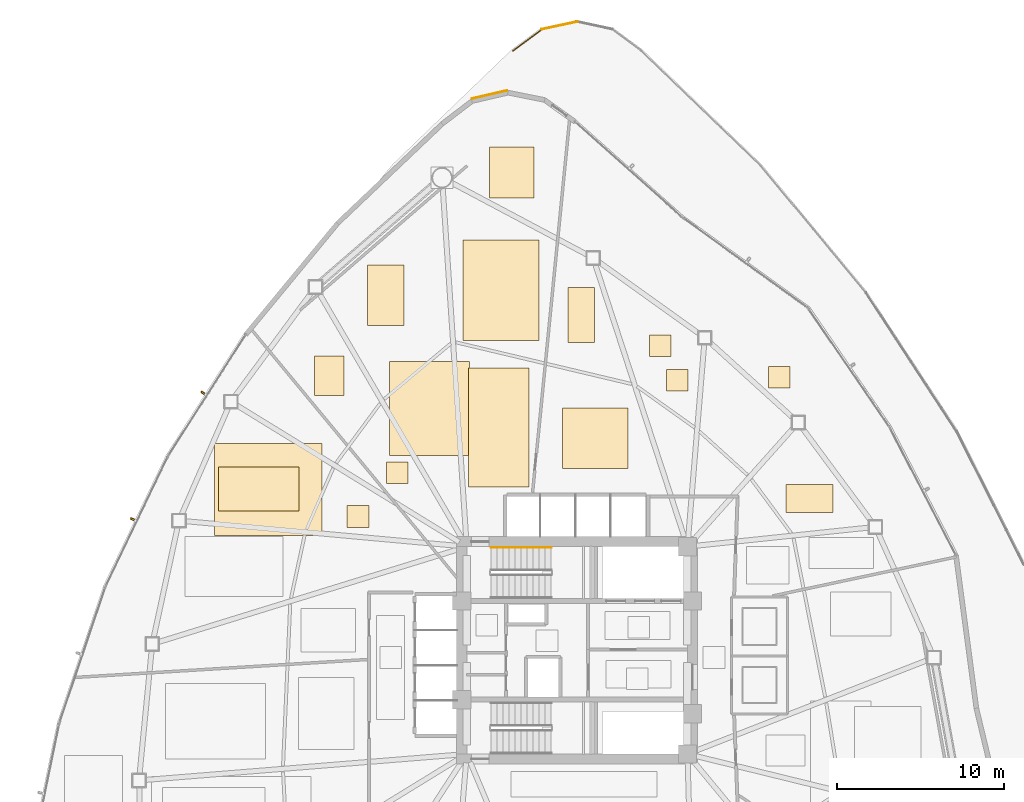
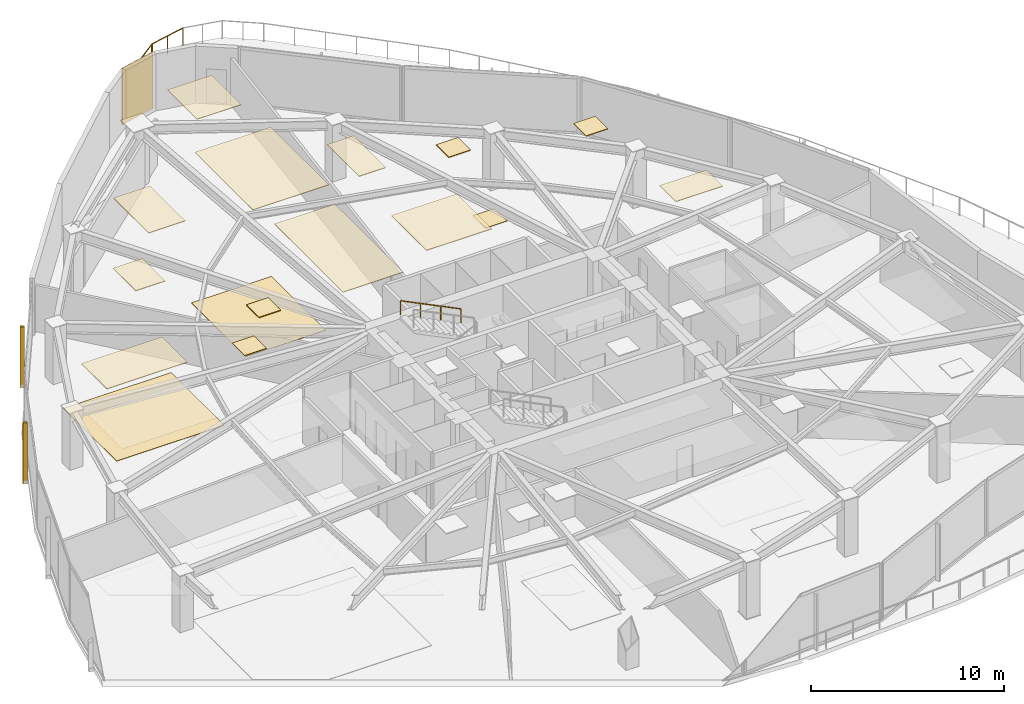
# One storey, part 17 of 19: 17 coverings, 3 railings, 2 shading devices.
"""IFC4 building model written with IfcOpenShell, lengths in metres."""

from ifc_helpers import new_model, si_unit, direction, frame, origin, origin_2d, place, context, subcontext, project, spatial, polyline, rectangle, outline, extrude, source, transform, mapped, material, layer, layer_set, type_object, type_shapes, element, save


model = new_model("IFC4")

# Units and contexts
model_context = context("Model", 3, precision=1e-05, world=origin(), true_north=direction((0.0, 1.0)))
body_context = subcontext(model_context, "Body", "Model", "MODEL_VIEW")
ifc_project = project(units=[si_unit("LENGTHUNIT", "METRE"), si_unit("AREAUNIT", "SQUARE_METRE"), si_unit("VOLUMEUNIT", "CUBIC_METRE"), si_unit("PLANEANGLEUNIT", "RADIAN"), si_unit("MASSUNIT", "GRAM", prefix="KILO")], contexts=[model_context])

# Site, building, storey
site_placement = place(None, origin())
site = spatial("IfcSite", under=ifc_project, at=site_placement, CompositionType="ELEMENT")
building_placement = place(site_placement, origin())
building = spatial("IfcBuilding", under=site, at=building_placement, Name="Tavelor Broadcast Tower", CompositionType="ELEMENT")
storey_placement = place(building_placement, frame((0.0, 0.0, 27.60009765625)))
storey = spatial("IfcBuildingStorey", under=building, at=storey_placement, Name="L05", CompositionType="ELEMENT", Elevation=27.60009765625)

# Covering
ifc_material_1 = material(Name="Copper-Bronze Anodized Aluminium", Category="aluminium")
ifc_layer_1 = layer(ifc_material_1, 0.050048828125)
ifc_layer_set_1 = layer_set([ifc_layer_1], Name="Copper-Bronze Anodized Aluminium")
covering_type_1 = type_object("IfcCoveringType", Name="Champagne-Bronze Corner Pier Metal Cladding 50 mm", PredefinedType="CLADDING", material=ifc_layer_set_1)
covering_1_placement = place(storey_placement, frame((44.7666015625, 78.2392578125, 0.019775390625), z_axis=(0.0, 0.0, 1.0), x_axis=(-0.97417338697, -0.225801266869, 0.0)))
element("IfcCovering", 1, at=covering_1_placement, inside=storey, type_object=covering_type_1, Name="L05 Champagne-Bronze Corner Cladding 03", PredefinedType="CLADDING", context=body_context, shape_type="SweptSolid", body=[
    extrude(rectangle(XDim=2.173095703125, YDim=0.050048828125, at=origin_2d()), origin(), (0.0, 0.0, 1.0), 3.56005859375),
])

# Railing
ifc_material_2 = material(Name="Steel S355", Category="steel")
railing_type_1 = type_object("IfcRailingType", Name="Continuous Brushed Stainless Handrail 900 mm", PredefinedType="HANDRAIL", material=ifc_material_2)
railing_1_placement = place(storey_placement, frame((48.449951171875, 51.14990234375, 2.127197265625)))
element("IfcRailing", 2, at=railing_1_placement, inside=storey, type_object=railing_type_1, Name="L05 ST1 stair handrail 2", PredefinedType="HANDRAIL", context=body_context, shape_type="SweptSolid", body=[
    extrude(rectangle(XDim=0.048095703125, YDim=0.048095703125, at=origin_2d()), frame((0.0, 0.0, 0.8759765625), z_axis=(-0.897124305991, 0.0, 0.441778201817), x_axis=(0.0, -1.0, 0.0)), (0.0, 0.0, 1.0), 4.0126953125),
    extrude(rectangle(XDim=0.0419921875, YDim=0.0419921875, at=origin_2d()), origin(), (0.0, 0.0, 1.0), 0.851806640625),
    extrude(rectangle(XDim=0.0419921875, YDim=0.0419921875, at=origin_2d()), frame((-1.199951171875, 0.0, 0.5908203125)), (0.0, 0.0, 1.0), 0.851806640625),
    extrude(rectangle(XDim=0.0419921875, YDim=0.0419921875, at=origin_2d()), frame((-2.39990234375, 0.0, 1.181884765625)), (0.0, 0.0, 1.0), 0.851806640625),
    extrude(rectangle(XDim=0.0419921875, YDim=0.0419921875, at=origin_2d()), frame((-3.599853515625, 0.0, 1.772705078125)), (0.0, 0.0, 1.0), 0.851806640625),
])

# Coverings
ifc_material_3 = material(Name="Acoustic Nylon Carpet Tile")
ifc_layer_2 = layer(ifc_material_3, 0.02001953125)
ifc_layer_set_2 = layer_set([ifc_layer_2], Name="Acoustic Nylon Carpet Tile")
covering_type_2 = type_object("IfcCoveringType", Name="Heavy-Duty Acoustic Broadcast Carpet Tile 20 mm", PredefinedType="FLOORING", material=ifc_layer_set_2)
covering_2_placement = place(storey_placement, origin())
element("IfcCovering", 3, at=covering_2_placement, inside=storey, type_object=covering_type_2, Name="L05 Broadcast Floor Finish 0058", PredefinedType="FLOORING", context=body_context, shape_type="SweptSolid", body=[
    extrude(outline(polyline([(28.298583984375, 51.860107421875), (34.739990234375, 51.860107421875), (34.739990234375, 57.358642578125), (28.298583984375, 57.358642578125), (28.298583984375, 51.860107421875)])), origin(), (0.0, 0.0, 1.0), 0.02001953125),
])
covering_3_placement = place(storey_placement, origin())
element("IfcCovering", 4, at=covering_3_placement, inside=storey, type_object=covering_type_2, Name="L05 Broadcast Floor Finish 0059", PredefinedType="FLOORING", context=body_context, shape_type="SweptSolid", body=[
    extrude(outline(polyline([(38.78466796875, 56.665283203125), (43.57177734375, 56.665283203125), (43.57177734375, 62.2783203125), (38.78466796875, 62.2783203125), (38.78466796875, 56.665283203125)])), origin(), (0.0, 0.0, 1.0), 0.02001953125),
])
covering_4_placement = place(storey_placement, origin())
element("IfcCovering", 5, at=covering_4_placement, inside=storey, type_object=covering_type_2, Name="L05 Broadcast Floor Finish 0060", PredefinedType="FLOORING", context=body_context, shape_type="SweptSolid", body=[
    extrude(outline(polyline([(55.3330078125, 60.5107421875), (56.6328125, 60.5107421875), (56.6328125, 61.810791015625), (55.3330078125, 61.810791015625), (55.3330078125, 60.5107421875)])), origin(), (0.0, 0.0, 1.0), 0.02001953125),
])

# Railings
railing_type_2 = type_object("IfcRailingType", Name="Planted Terrace Laminated Glass Balustrade 1150 mm", PredefinedType="BALUSTRADE", material=ifc_material_2)
railing_2_placement = place(storey_placement, frame((50.02099609375, 82.602294921875, 0.0)))
element("IfcRailing", 6, at=railing_2_placement, inside=storey, type_object=railing_type_2, Name="L05 Cascading Garden Terrace 1 Balustrade #139", PredefinedType="BALUSTRADE", context=body_context, shape_type="SweptSolid", body=[
    extrude(rectangle(XDim=0.048095703125, YDim=0.048095703125, at=origin_2d()), frame((0.0, 0.0, 1.1259765625), z_axis=(-0.977601202862, -0.210465883605, 0.0), x_axis=(0.210465883605, -0.977601202862, 0.0)), (0.0, 0.0, 1.0), 2.18896484375),
    extrude(rectangle(XDim=0.0419921875, YDim=0.0419921875, at=origin_2d()), origin(), (0.0, 0.0, 1.0), 1.101806640625),
    extrude(rectangle(XDim=0.0419921875, YDim=0.0419921875, at=origin_2d()), frame((-1.06982421875, -0.23046875, 0.0)), (0.0, 0.0, 1.0), 1.101806640625),
    extrude(rectangle(XDim=0.0419921875, YDim=0.0419921875, at=origin_2d()), frame((-2.139892578125, -0.460693359375, 0.0)), (0.0, 0.0, 1.0), 1.101806640625),
])
railing_3_placement = place(storey_placement, frame((47.91943359375, 82.158935546875, 0.0)))
element("IfcRailing", 7, at=railing_3_placement, inside=storey, type_object=railing_type_2, Name="L05 Cascading Garden Terrace 1 Balustrade #140", PredefinedType="BALUSTRADE", context=body_context, shape_type="SweptSolid", body=[
    extrude(rectangle(XDim=0.048095703125, YDim=0.048095703125, at=origin_2d()), frame((0.0, 0.0, 1.1259765625), z_axis=(-0.804368485154, -0.594130743263, 0.0), x_axis=(0.594130743263, -0.804368485154, 0.0)), (0.0, 0.0, 1.0), 2.18896484375),
    extrude(rectangle(XDim=0.0419921875, YDim=0.0419921875, at=origin_2d()), origin(), (0.0, 0.0, 1.0), 1.101806640625),
    extrude(rectangle(XDim=0.0419921875, YDim=0.0419921875, at=origin_2d()), frame((-0.88037109375, -0.650390625, 0.0)), (0.0, 0.0, 1.0), 1.101806640625),
    extrude(rectangle(XDim=0.0419921875, YDim=0.0419921875, at=origin_2d()), frame((-1.7607421875, -1.300537109375, 0.0)), (0.0, 0.0, 1.0), 1.101806640625),
])

# Coverings
ifc_material_4 = material(Name="Acoustic Mineral Fibre Tile")
ifc_layer_3 = layer(ifc_material_4, 0.0400390625)
ifc_layer_set_3 = layer_set([ifc_layer_3], Name="Acoustic Mineral Fibre Tile")
covering_type_3 = type_object("IfcCoveringType", Name="Suspended Acoustic Mineral-Fibre Office Ceiling 40 mm", PredefinedType="CEILING", material=ifc_layer_set_3)
covering_5_placement = place(storey_placement, frame((0.0, 0.0, 3.559814453125)))
element("IfcCovering", 8, at=covering_5_placement, inside=storey, type_object=covering_type_3, Name="L05 Suspended Acoustic Ceiling 0139", PredefinedType="CEILING", context=body_context, shape_type="SweptSolid", body=[
    extrude(outline(polyline([(36.241943359375, 52.354736328125), (37.5419921875, 52.354736328125), (37.5419921875, 53.65478515625), (36.241943359375, 53.65478515625), (36.241943359375, 52.354736328125)])), origin(), (0.0, 0.0, 1.0), 0.0400390625),
])
covering_6_placement = place(storey_placement, frame((0.0, 0.0, 3.559814453125)))
element("IfcCovering", 9, at=covering_6_placement, inside=storey, type_object=covering_type_3, Name="L05 Suspended Acoustic Ceiling 0141", PredefinedType="CEILING", context=body_context, shape_type="SweptSolid", body=[
    extrude(outline(polyline([(28.5634765625, 53.326416015625), (33.379150390625, 53.326416015625), (33.379150390625, 55.96142578125), (28.5634765625, 55.96142578125), (28.5634765625, 53.326416015625)])), origin(), (0.0, 0.0, 1.0), 0.0400390625),
])
covering_7_placement = place(storey_placement, frame((0.0, 0.0, 3.559814453125)))
element("IfcCovering", 10, at=covering_7_placement, inside=storey, type_object=covering_type_3, Name="L05 Suspended Acoustic Ceiling 0143", PredefinedType="CEILING", context=body_context, shape_type="SweptSolid", body=[
    extrude(outline(polyline([(37.46337890625, 64.42236328125), (39.65283203125, 64.42236328125), (39.65283203125, 68.059814453125), (37.46337890625, 68.059814453125), (37.46337890625, 64.42236328125)])), origin(), (0.0, 0.0, 1.0), 0.0400390625),
])
covering_8_placement = place(storey_placement, frame((0.0, 0.0, 3.559814453125)))
element("IfcCovering", 11, at=covering_8_placement, inside=storey, type_object=covering_type_3, Name="L05 Suspended Acoustic Ceiling 0144", PredefinedType="CEILING", context=body_context, shape_type="SweptSolid", body=[
    extrude(outline(polyline([(43.173095703125, 63.525390625), (47.7109375, 63.525390625), (47.7109375, 69.530029296875), (43.173095703125, 69.530029296875), (43.173095703125, 63.525390625)])), origin(), (0.0, 0.0, 1.0), 0.0400390625),
])
covering_9_placement = place(storey_placement, frame((0.0, 0.0, 3.559814453125)))
element("IfcCovering", 12, at=covering_9_placement, inside=storey, type_object=covering_type_3, Name="L05 Suspended Acoustic Ceiling 0145", PredefinedType="CEILING", context=body_context, shape_type="SweptSolid", body=[
    extrude(outline(polyline([(44.76513671875, 72.052001953125), (47.41259765625, 72.052001953125), (47.41259765625, 75.111083984375), (44.76513671875, 75.111083984375), (44.76513671875, 72.052001953125)])), origin(), (0.0, 0.0, 1.0), 0.0400390625),
])
covering_10_placement = place(storey_placement, frame((0.0, 0.0, 3.559814453125)))
element("IfcCovering", 13, at=covering_10_placement, inside=storey, type_object=covering_type_3, Name="L05 Suspended Acoustic Ceiling 0146", PredefinedType="CEILING", context=body_context, shape_type="SweptSolid", body=[
    extrude(outline(polyline([(43.505126953125, 54.7744140625), (47.11328125, 54.7744140625), (47.11328125, 61.8740234375), (43.505126953125, 61.8740234375), (43.505126953125, 54.7744140625)])), origin(), (0.0, 0.0, 1.0), 0.0400390625),
])
covering_11_placement = place(storey_placement, frame((0.0, 0.0, 3.559814453125)))
element("IfcCovering", 14, at=covering_11_placement, inside=storey, type_object=covering_type_3, Name="L05 Suspended Acoustic Ceiling 0147", PredefinedType="CEILING", context=body_context, shape_type="SweptSolid", body=[
    extrude(outline(polyline([(38.599609375, 54.973388671875), (39.8994140625, 54.973388671875), (39.8994140625, 56.273193359375), (38.599609375, 56.273193359375), (38.599609375, 54.973388671875)])), origin(), (0.0, 0.0, 1.0), 0.0400390625),
])
covering_12_placement = place(storey_placement, frame((0.0, 0.0, 3.559814453125)))
element("IfcCovering", 15, at=covering_12_placement, inside=storey, type_object=covering_type_3, Name="L05 Suspended Acoustic Ceiling 0148", PredefinedType="CEILING", context=body_context, shape_type="SweptSolid", body=[
    extrude(outline(polyline([(34.281982421875, 60.243408203125), (36.048583984375, 60.243408203125), (36.048583984375, 62.591064453125), (34.281982421875, 62.591064453125), (34.281982421875, 60.243408203125)])), origin(), (0.0, 0.0, 1.0), 0.0400390625),
])
covering_13_placement = place(storey_placement, frame((0.0, 0.0, 3.559814453125)))
element("IfcCovering", 16, at=covering_13_placement, inside=storey, type_object=covering_type_3, Name="L05 Suspended Acoustic Ceiling 0149", PredefinedType="CEILING", context=body_context, shape_type="SweptSolid", body=[
    extrude(outline(polyline([(49.125732421875, 55.872314453125), (53.033447265625, 55.872314453125), (53.033447265625, 59.500732421875), (49.125732421875, 59.500732421875), (49.125732421875, 55.872314453125)])), origin(), (0.0, 0.0, 1.0), 0.0400390625),
])
covering_14_placement = place(storey_placement, frame((0.0, 0.0, 3.559814453125)))
element("IfcCovering", 17, at=covering_14_placement, inside=storey, type_object=covering_type_3, Name="L05 Suspended Acoustic Ceiling 0150", PredefinedType="CEILING", context=body_context, shape_type="SweptSolid", body=[
    extrude(outline(polyline([(49.44775390625, 63.399658203125), (51.03662109375, 63.399658203125), (51.03662109375, 66.71484375), (49.44775390625, 66.71484375), (49.44775390625, 63.399658203125)])), origin(), (0.0, 0.0, 1.0), 0.0400390625),
])
covering_15_placement = place(storey_placement, frame((0.0, 0.0, 3.559814453125)))
element("IfcCovering", 18, at=covering_15_placement, inside=storey, type_object=covering_type_3, Name="L05 Suspended Acoustic Ceiling 0151", PredefinedType="CEILING", context=body_context, shape_type="SweptSolid", body=[
    extrude(outline(polyline([(61.436279296875, 60.680419921875), (62.736328125, 60.680419921875), (62.736328125, 61.98046875), (61.436279296875, 61.98046875), (61.436279296875, 60.680419921875)])), origin(), (0.0, 0.0, 1.0), 0.0400390625),
])
covering_16_placement = place(storey_placement, frame((0.0, 0.0, 3.559814453125)))
element("IfcCovering", 19, at=covering_16_placement, inside=storey, type_object=covering_type_3, Name="L05 Suspended Acoustic Ceiling 0154", PredefinedType="CEILING", context=body_context, shape_type="SweptSolid", body=[
    extrude(outline(polyline([(62.492431640625, 53.234375), (65.3046875, 53.234375), (65.3046875, 54.909423828125), (62.492431640625, 54.909423828125), (62.492431640625, 53.234375)])), origin(), (0.0, 0.0, 1.0), 0.0400390625),
])
covering_17_placement = place(storey_placement, frame((0.0, 0.0, 3.559814453125)))
element("IfcCovering", 20, at=covering_17_placement, inside=storey, type_object=covering_type_3, Name="L05 Suspended Acoustic Ceiling 0155", PredefinedType="CEILING", context=body_context, shape_type="SweptSolid", body=[
    extrude(outline(polyline([(54.32470703125, 62.56884765625), (55.62451171875, 62.56884765625), (55.62451171875, 63.868896484375), (54.32470703125, 63.868896484375), (54.32470703125, 62.56884765625)])), origin(), (0.0, 0.0, 1.0), 0.0400390625),
])

# Shading devices
ifc_material_5 = material(Name="Kiln-Fired Glazed Terracotta", Category="masonry")
shading_device_type = type_object("IfcShadingDeviceType", Name="Extruded Terracotta Baguette Sun-Screen 110x240", PredefinedType="JALOUSIE", material=ifc_material_5)
shared_shape = source(origin(), body_context, "Body", "SweptSolid", [
    extrude(rectangle(XDim=0.110107421875, YDim=0.239990234375, at=origin_2d()), origin(), (0.0, 0.0, 1.0), 3.840087890625),
])
type_shapes(shading_device_type, [shared_shape])
for number, where, z_axis, x_axis, name in (
    (21, (27.6083984375, 60.412109375, -0.26025390625), (0.0, 0.0, 1.0), (-0.538476680827, -0.84264041216, 0.0), "L05 Terracotta Baguette Fin 13"),
    (22, (23.39892578125, 52.84912109375, -0.26025390625), (0.0, 0.0, 1.0), (-0.432400521409, -0.901681645086, 0.0), "L05 Terracotta Baguette Fin 14"),
):
    element("IfcShadingDevice", number, at=place(storey_placement, frame(where, z_axis=z_axis, x_axis=x_axis)), inside=storey, type_object=shading_device_type, Name=name, PredefinedType="JALOUSIE", context=body_context, shape_type="MappedRepresentation", body=[
        mapped(shared_shape, transform((0.0, 0.0, 0.0), scale=1.0)),
    ])

save(model, "model.ifc")
